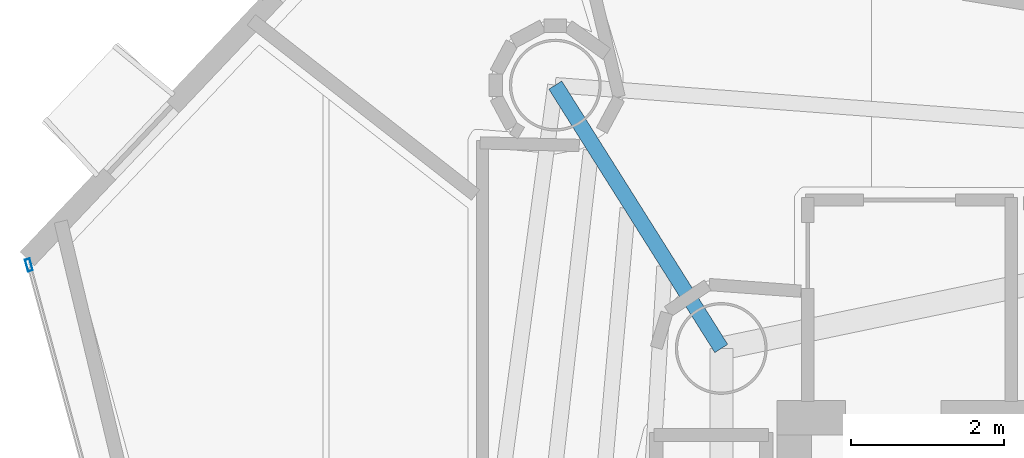
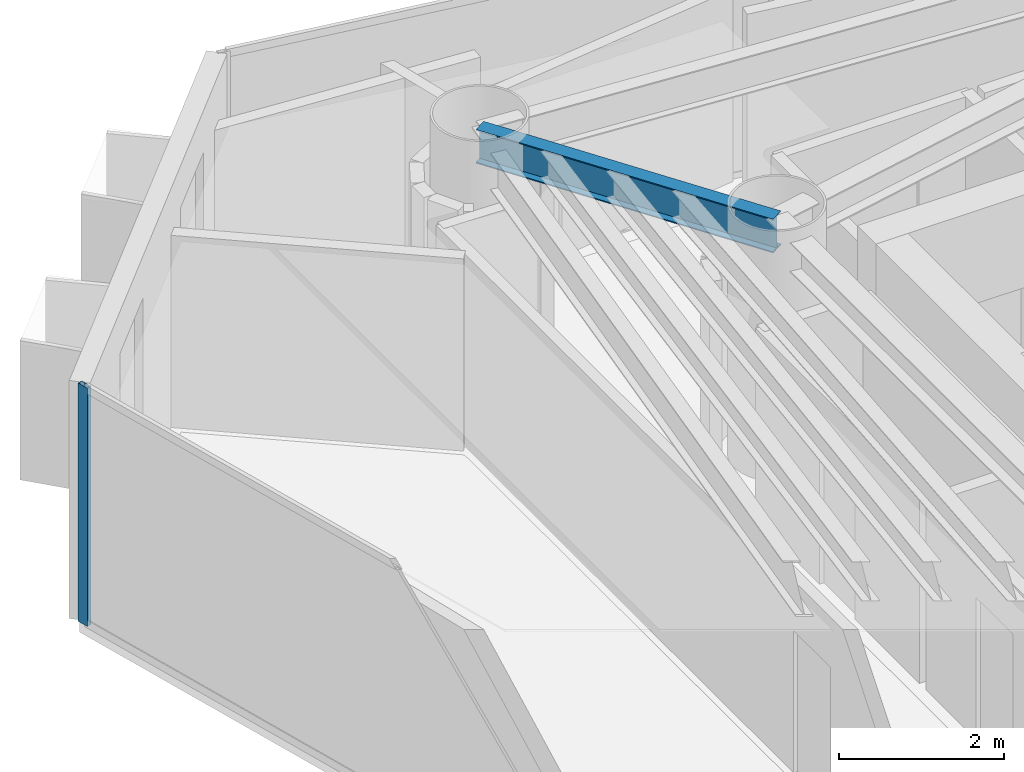
# One storey, part 9 of 21: 1 beam, 1 member, 1 element without a shape of its own.
"""IFC4 building model written with IfcOpenShell, lengths in metres."""

from ifc_helpers import new_model, si_unit, direction, frame, origin, origin_2d, place, context, subcontext, project, spatial, hollow_rectangle, i_section, extrude, material, layer, layer_set, material_profile, profile_set, type_object, element, aggregate, save


model = new_model("IFC4")

# Units and contexts
model_context = context("Model", 3, precision=1e-05, world=origin(), true_north=direction((0.0, 1.0)))
body_context = subcontext(model_context, "Body", "Model", "MODEL_VIEW")
ifc_project = project(units=[si_unit("LENGTHUNIT", "METRE"), si_unit("AREAUNIT", "SQUARE_METRE"), si_unit("VOLUMEUNIT", "CUBIC_METRE"), si_unit("PLANEANGLEUNIT", "RADIAN"), si_unit("MASSUNIT", "GRAM", prefix="KILO")], contexts=[model_context])

# Site, building, storey
site_placement = place(None, origin())
site = spatial("IfcSite", under=ifc_project, at=site_placement, CompositionType="ELEMENT")
building_placement = place(site_placement, origin())
building = spatial("IfcBuilding", under=site, at=building_placement, Name="Qianvela Tower", CompositionType="ELEMENT")
storey_placement = place(building_placement, frame((0.0, 0.0, 211.39990234375)))
storey = spatial("IfcBuildingStorey", under=building, at=storey_placement, Name="L54", CompositionType="ELEMENT", Elevation=211.39990234375)

# Beam
ifc_material_1 = material(Name="Steel Q355B", Category="steel")
ifc_material_profile_1 = material_profile(ifc_material_1, i_section(OverallWidth=0.199951171875, OverallDepth=0.5, WebThickness=0.010009765625, FlangeThickness=0.01611328125, at=origin_2d()), Name="HN500x200x10x16")
ifc_profile_set_1 = profile_set([ifc_material_profile_1], Name="Steel Q355B")
beam_type = type_object("IfcBeamType", Name="BM-HN500-GIRD", PredefinedType="BEAM", material=ifc_profile_set_1)
beam_placement = place(storey_placement, frame((28.60009765625, 33.550048828125, 3.26806640625), z_axis=(-0.533177693809, 0.846003278258, 0.0), x_axis=(-0.846003278258, -0.533177693809, 0.0)))
element("IfcBeam", 1, at=beam_placement, inside=storey, type_object=beam_type, Name="L54 Radial Primary Floor Girder 3", PredefinedType="BEAM", context=body_context, shape_type="SweptSolid", body=[
    extrude(i_section(OverallWidth=0.199951171875, OverallDepth=0.5, WebThickness=0.010009765625, FlangeThickness=0.01611328125, at=origin_2d()), origin(), (0.0, 0.0, 1.0), 4.068359375),
])

# Curtain wall, member
ifc_material_2 = material(Name="Anodised Architectural Aluminium and Low-E Glass", Category="aluminium")
ifc_layer = layer(ifc_material_2, 0.159912109375)
ifc_layer_set = layer_set([ifc_layer], Name="Anodised Architectural Aluminium and Low-E Glass")
curtain_wall_type = type_object("IfcCurtainWallType", Name="CW-COLIV-Z56", PredefinedType="USERDEFINED", material=ifc_layer_set)
curtain_wall_placement = place(storey_placement, origin())
curtain_wall = element("IfcCurtainWall", 2, at=curtain_wall_placement, inside=storey, type_object=curtain_wall_type, Name="L54 CW-COLIV-Z56 Curtain Wall 04A", ObjectType="CURTAIN_WALL_SYSTEM", PredefinedType="USERDEFINED")
ifc_material_3 = material(Name="Anodised Architectural Aluminium 6063-T6", Category="aluminium")
ifc_material_profile_2 = material_profile(ifc_material_3, hollow_rectangle(XDim=0.06494140625, YDim=0.159912109375, WallThickness=0.0048828125, at=origin_2d()), Name="ALU-MULL-65x160")
ifc_profile_set_2 = profile_set([ifc_material_profile_2], Name="Anodised Architectural Aluminium 6063-T6")
member_type = type_object("IfcMemberType", Name="CW-COLIV-Z56-MULL", PredefinedType="MULLION", material=ifc_profile_set_2)
member_placement = place(storey_placement, frame((19.550537109375, 34.641357421875, 0.0), z_axis=(0.0, 0.0, 1.0), x_axis=(0.965015554401, 0.262192638655, 0.0)))
member = element("IfcMember", 3, at=member_placement, type_object=member_type, Name="CW-5 mullion 1", PredefinedType="MULLION", context=body_context, shape_type="SweptSolid", body=[
    extrude(hollow_rectangle(XDim=0.06494140625, YDim=0.159912109375, WallThickness=0.0048828125, at=origin_2d()), origin(), (0.0, 0.0, 1.0), 3.52001953125),
])
aggregate(curtain_wall, [member])

save(model, "model.ifc")
